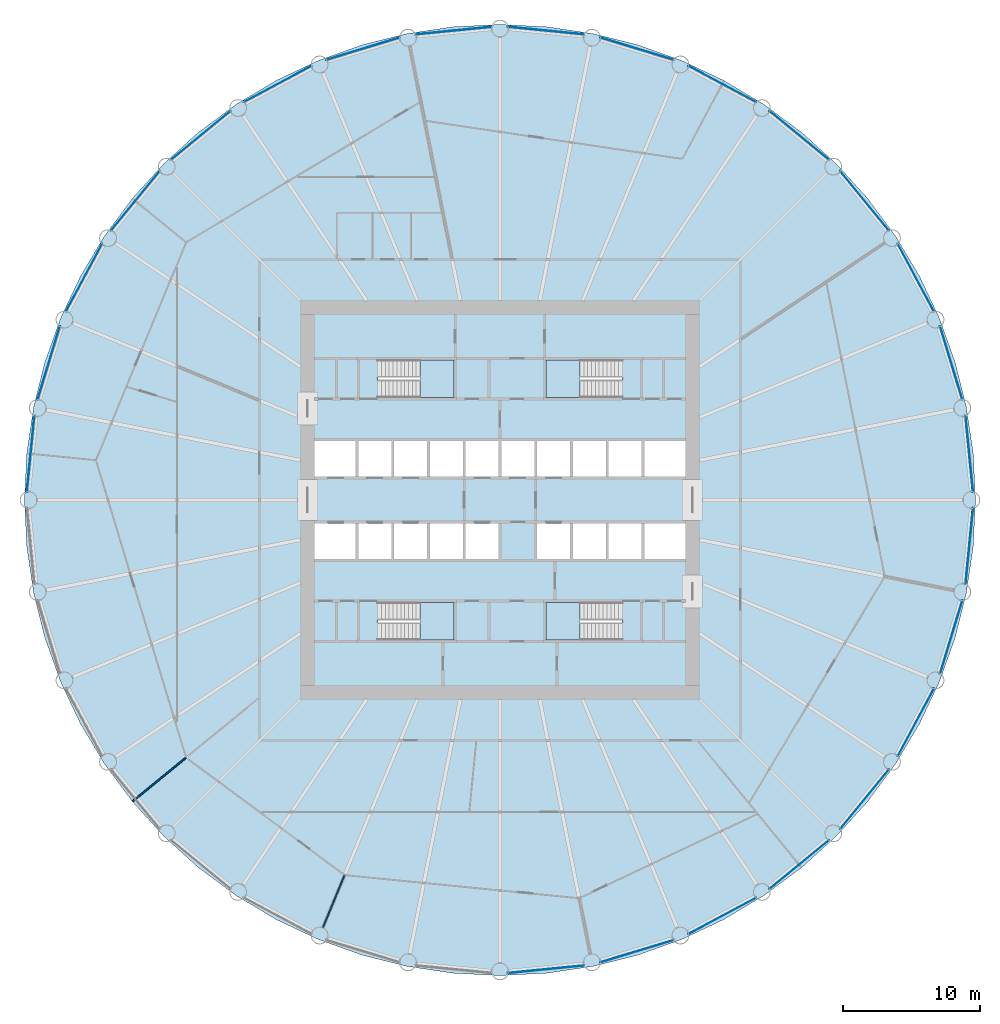
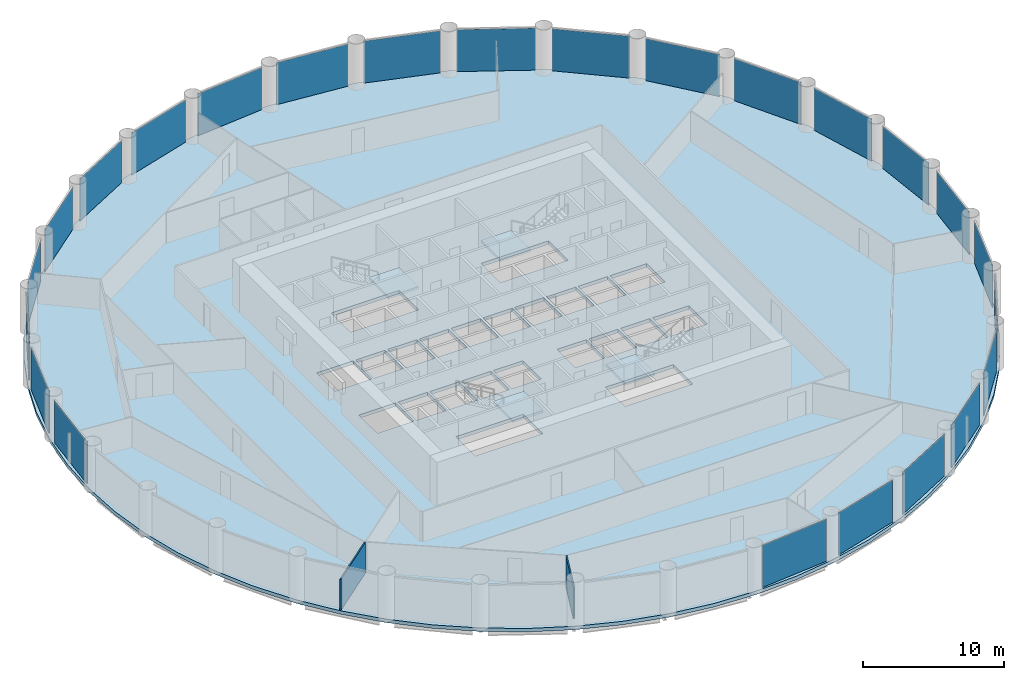
# One storey, part 3 of 8: 24 plates, 5 slabs, 2 walls, 28 elements without a shape of their own.
"""IFC4 building model written with IfcOpenShell, lengths in metres."""

from ifc_helpers import new_model, si_unit, direction, frame, frame_2d, origin, origin_2d, place, context, subcontext, project, spatial, polyline, rectangle, outline, extrude, material, layer, layer_set, type_object, element, aggregate, save


model = new_model("IFC4")

# Units and contexts
model_context = context("Model", 3, precision=1e-05, world=origin(), true_north=direction((0.0, 1.0)))
body_context = subcontext(model_context, "Body", "Model", "MODEL_VIEW")
ifc_project = project(units=[si_unit("LENGTHUNIT", "METRE"), si_unit("AREAUNIT", "SQUARE_METRE"), si_unit("VOLUMEUNIT", "CUBIC_METRE"), si_unit("PLANEANGLEUNIT", "RADIAN"), si_unit("MASSUNIT", "GRAM", prefix="KILO")], contexts=[model_context])

# Site, building, storey
site_placement = place(None, origin())
site = spatial("IfcSite", under=ifc_project, at=site_placement, CompositionType="ELEMENT")
building_placement = place(site_placement, origin())
building = spatial("IfcBuilding", under=site, at=building_placement, Name="Corvane Civic Tower", CompositionType="ELEMENT")
storey_placement = place(building_placement, frame((0.0, 0.0, 134.5)))
storey = spatial("IfcBuildingStorey", under=building, at=storey_placement, Name="L31", CompositionType="ELEMENT", Elevation=134.5)

# Slab
ifc_material_1 = material(Name="Concrete C40/50", Category="concrete")
ifc_layer_1 = layer(ifc_material_1, 0.300048828125)
ifc_layer_set_1 = layer_set([ifc_layer_1], Name="Concrete C40/50")
slab_type_1 = type_object("IfcSlabType", Name="FLOOR SLAB 300", PredefinedType="FLOOR", material=ifc_layer_set_1)
slab_1_placement = place(storey_placement, frame((0.0, 0.0, -0.300048828125)))
element("IfcSlab", 1, at=slab_1_placement, inside=storey, type_object=slab_type_1, Name="SLB-L31", PredefinedType="FLOOR", context=body_context, shape_type="SweptSolid", body=[
    extrude(outline(polyline([(0.0, 34.60009765625), (-3.391357421875, 34.433349609375), (-6.750244140625, 33.93505859375), (-10.0439453125, 33.110107421875), (-13.240966796875, 31.96630859375), (-16.310302734375, 30.514404296875), (-19.22265625, 28.768798828125), (-21.949951171875, 26.74609375), (-24.4658203125, 24.4658203125), (-26.74609375, 21.949951171875), (-28.768798828125, 19.22265625), (-30.514404296875, 16.310302734375), (-31.96630859375, 13.240966796875), (-33.110107421875, 10.0439453125), (-33.93505859375, 6.750244140625), (-34.433349609375, 3.391357421875), (-34.60009765625, 0.0), (-34.433349609375, -3.391357421875), (-33.93505859375, -6.750244140625), (-33.110107421875, -10.0439453125), (-31.96630859375, -13.240966796875), (-30.514404296875, -16.310302734375), (-28.768798828125, -19.22265625), (-26.74609375, -21.949951171875), (-24.4658203125, -24.4658203125), (-21.949951171875, -26.74609375), (-19.22265625, -28.768798828125), (-16.310302734375, -30.514404296875), (-13.240966796875, -31.96630859375), (-10.0439453125, -33.110107421875), (-6.750244140625, -33.93505859375), (-3.391357421875, -34.433349609375), (0.0, -34.60009765625), (3.391357421875, -34.433349609375), (6.750244140625, -33.93505859375), (10.0439453125, -33.110107421875), (13.240966796875, -31.96630859375), (16.310302734375, -30.514404296875), (19.22265625, -28.768798828125), (21.949951171875, -26.74609375), (24.4658203125, -24.4658203125), (26.74609375, -21.949951171875), (28.768798828125, -19.22265625), (30.514404296875, -16.310302734375), (31.96630859375, -13.240966796875), (33.110107421875, -10.0439453125), (33.93505859375, -6.750244140625), (34.433349609375, -3.391357421875), (34.60009765625, 0.0), (34.433349609375, 3.391357421875), (33.93505859375, 6.750244140625), (33.110107421875, 10.0439453125), (31.96630859375, 13.240966796875), (30.514404296875, 16.310302734375), (28.768798828125, 19.22265625), (26.74609375, 21.949951171875), (24.4658203125, 24.4658203125), (21.949951171875, 26.74609375), (19.22265625, 28.768798828125), (16.310302734375, 30.514404296875), (13.240966796875, 31.96630859375), (10.0439453125, 33.110107421875), (6.750244140625, 33.93505859375), (3.391357421875, 34.433349609375), (0.0, 34.60009765625)]), holes=[polyline([(-13.5, 4.300048828125), (-10.5, 4.300048828125), (-10.5, 1.699951171875), (-13.5, 1.699951171875), (-13.5, 4.300048828125)]), polyline([(-10.300048828125, 4.300048828125), (-7.89990234375, 4.300048828125), (-7.89990234375, 1.699951171875), (-10.300048828125, 1.699951171875), (-10.300048828125, 4.300048828125)]), polyline([(-5.300048828125, 1.699951171875), (-7.699951171875, 1.699951171875), (-7.699951171875, 4.300048828125), (-5.300048828125, 4.300048828125), (-5.300048828125, 1.699951171875)]), polyline([(-2.699951171875, 1.699951171875), (-5.10009765625, 1.699951171875), (-5.10009765625, 4.300048828125), (-2.699951171875, 4.300048828125), (-2.699951171875, 1.699951171875)]), polyline([(-2.5, 4.300048828125), (-0.10009765625, 4.300048828125), (-0.10009765625, 1.699951171875), (-2.5, 1.699951171875), (-2.5, 4.300048828125)]), polyline([(2.5, 4.300048828125), (2.5, 1.699951171875), (0.10009765625, 1.699951171875), (0.10009765625, 4.300048828125), (2.5, 4.300048828125)]), polyline([(2.699951171875, 4.300048828125), (5.10009765625, 4.300048828125), (5.10009765625, 1.699951171875), (2.699951171875, 1.699951171875), (2.699951171875, 4.300048828125)]), polyline([(5.300048828125, 4.300048828125), (7.699951171875, 4.300048828125), (7.699951171875, 1.699951171875), (5.300048828125, 1.699951171875), (5.300048828125, 4.300048828125)]), polyline([(7.89990234375, 4.300048828125), (10.300048828125, 4.300048828125), (10.300048828125, 1.699951171875), (7.89990234375, 1.699951171875), (7.89990234375, 4.300048828125)]), polyline([(13.5, 1.699951171875), (10.5, 1.699951171875), (10.5, 4.300048828125), (13.5, 4.300048828125), (13.5, 1.699951171875)]), polyline([(-13.5, -1.699951171875), (-10.5, -1.699951171875), (-10.5, -4.300048828125), (-13.5, -4.300048828125), (-13.5, -1.699951171875)]), polyline([(-7.89990234375, -1.699951171875), (-7.89990234375, -4.300048828125), (-10.300048828125, -4.300048828125), (-10.300048828125, -1.699951171875), (-7.89990234375, -1.699951171875)]), polyline([(-7.699951171875, -4.300048828125), (-7.699951171875, -1.699951171875), (-5.300048828125, -1.699951171875), (-5.300048828125, -4.300048828125), (-7.699951171875, -4.300048828125)]), polyline([(-5.10009765625, -4.300048828125), (-5.10009765625, -1.699951171875), (-2.699951171875, -1.699951171875), (-2.699951171875, -4.300048828125), (-5.10009765625, -4.300048828125)]), polyline([(-0.10009765625, -1.699951171875), (-0.10009765625, -4.300048828125), (-2.5, -4.300048828125), (-2.5, -1.699951171875), (-0.10009765625, -1.699951171875)]), polyline([(5.10009765625, -1.699951171875), (5.10009765625, -4.300048828125), (2.699951171875, -4.300048828125), (2.699951171875, -1.699951171875), (5.10009765625, -1.699951171875)]), polyline([(7.699951171875, -1.699951171875), (7.699951171875, -4.300048828125), (5.300048828125, -4.300048828125), (5.300048828125, -1.699951171875), (7.699951171875, -1.699951171875)]), polyline([(10.300048828125, -1.699951171875), (10.300048828125, -4.300048828125), (7.89990234375, -4.300048828125), (7.89990234375, -1.699951171875), (10.300048828125, -1.699951171875)]), polyline([(13.5, -4.300048828125), (10.5, -4.300048828125), (10.5, -1.699951171875), (13.5, -1.699951171875), (13.5, -4.300048828125)]), polyline([(8.889892578125, 10.199951171875), (8.889892578125, 7.449951171875), (3.35009765625, 7.449951171875), (3.35009765625, 10.199951171875), (8.889892578125, 10.199951171875)]), polyline([(-8.889892578125, 7.449951171875), (-8.889892578125, 10.199951171875), (-3.35009765625, 10.199951171875), (-3.35009765625, 7.449951171875), (-8.889892578125, 7.449951171875)]), polyline([(8.889892578125, -7.449951171875), (8.889892578125, -10.199951171875), (3.35009765625, -10.199951171875), (3.35009765625, -7.449951171875), (8.889892578125, -7.449951171875)]), polyline([(-8.889892578125, -10.199951171875), (-8.889892578125, -7.449951171875), (-3.35009765625, -7.449951171875), (-3.35009765625, -10.199951171875), (-8.889892578125, -10.199951171875)])]), origin(), (0.0, 0.0, 1.0), 0.300048828125),
])

# Stair, slab
ifc_material_2 = material(Name="Concrete C40/50", Category="concrete")
stair_type = type_object("IfcStairType", Name="ST-STAIR-HALFTURN", PredefinedType="HALF_TURN_STAIR", material=ifc_material_2)
stair_1_placement = place(storey_placement, origin())
stair_1 = element("IfcStair", 2, at=stair_1_placement, inside=storey, type_object=stair_type, Name="L31 Exit stair ST1", PredefinedType="HALF_TURN_STAIR")
ifc_material_3 = material(Name="Concrete C40/50", Category="concrete")
ifc_layer_2 = layer(ifc_material_3, 0.199951171875)
ifc_layer_set_2 = layer_set([ifc_layer_2], Name="Concrete C40/50")
slab_type_2 = type_object("IfcSlabType", Name="ST-LANDING-RC", PredefinedType="LANDING", material=ifc_layer_set_2)
slab_2_placement = place(storey_placement, frame((0.0, 0.0, 1.800048828125)))
slab_2 = element("IfcSlab", 3, at=slab_2_placement, type_object=slab_type_2, Name="ST1 landing 1", PredefinedType="LANDING", context=body_context, shape_type="SweptSolid", body=[
    extrude(outline(polyline([(5.820068359375, 10.199951171875), (3.35009765625, 10.199951171875), (3.35009765625, 7.449951171875), (5.820068359375, 7.449951171875), (5.820068359375, 10.199951171875)])), origin(), (0.0, 0.0, 1.0), 0.199951171875),
])
aggregate(stair_1, [slab_2])

stair_2_placement = place(storey_placement, origin())
stair_2 = element("IfcStair", 4, at=stair_2_placement, inside=storey, type_object=stair_type, Name="L31 Exit stair ST2", PredefinedType="HALF_TURN_STAIR")
slab_3_placement = place(storey_placement, frame((0.0, 0.0, 1.800048828125)))
slab_3 = element("IfcSlab", 5, at=slab_3_placement, type_object=slab_type_2, Name="ST2 landing 1", PredefinedType="LANDING", context=body_context, shape_type="SweptSolid", body=[
    extrude(outline(polyline([(5.820068359375, -7.449951171875), (3.35009765625, -7.449951171875), (3.35009765625, -10.199951171875), (5.820068359375, -10.199951171875), (5.820068359375, -7.449951171875)])), origin(), (0.0, 0.0, 1.0), 0.199951171875),
])
aggregate(stair_2, [slab_3])

stair_3_placement = place(storey_placement, origin())
stair_3 = element("IfcStair", 6, at=stair_3_placement, inside=storey, type_object=stair_type, Name="L31 Exit stair ST3", PredefinedType="HALF_TURN_STAIR")
slab_4_placement = place(storey_placement, frame((0.0, 0.0, 1.800048828125)))
slab_4 = element("IfcSlab", 7, at=slab_4_placement, type_object=slab_type_2, Name="ST3 landing 1", PredefinedType="LANDING", context=body_context, shape_type="SweptSolid", body=[
    extrude(outline(polyline([(-5.820068359375, -10.199951171875), (-3.35009765625, -10.199951171875), (-3.35009765625, -7.449951171875), (-5.820068359375, -7.449951171875), (-5.820068359375, -10.199951171875)])), origin(), (0.0, 0.0, 1.0), 0.199951171875),
])
aggregate(stair_3, [slab_4])

stair_4_placement = place(storey_placement, origin())
stair_4 = element("IfcStair", 8, at=stair_4_placement, inside=storey, type_object=stair_type, Name="L31 Exit stair ST4", PredefinedType="HALF_TURN_STAIR")
slab_5_placement = place(storey_placement, frame((0.0, 0.0, 1.800048828125)))
slab_5 = element("IfcSlab", 9, at=slab_5_placement, type_object=slab_type_2, Name="ST4 landing 1", PredefinedType="LANDING", context=body_context, shape_type="SweptSolid", body=[
    extrude(outline(polyline([(-5.820068359375, 7.449951171875), (-3.35009765625, 7.449951171875), (-3.35009765625, 10.199951171875), (-5.820068359375, 10.199951171875), (-5.820068359375, 7.449951171875)])), origin(), (0.0, 0.0, 1.0), 0.199951171875),
])
aggregate(stair_4, [slab_5])

# Curtain wall, plate
ifc_material_4 = material(Name="Anodised aluminium bronze", Category="aluminium")
curtain_wall_type = type_object("IfcCurtainWallType", Name="TOWER CW-T1 STICK CURTAIN WALL", PredefinedType="NOTDEFINED", material=ifc_material_4)
curtain_wall_1_placement = place(storey_placement, origin())
curtain_wall_1 = element("IfcCurtainWall", 10, at=curtain_wall_1_placement, inside=storey, type_object=curtain_wall_type, Name="Curtain wall CW-T1 L31 bay 01", PredefinedType="NOTDEFINED")
ifc_material_5 = material(Name="Tinted glass", Category="glass")
ifc_layer_3 = layer(ifc_material_5, 0.035888671875)
ifc_layer_set_3 = layer_set([ifc_layer_3], Name="Tinted glass")
plate_type = type_object("IfcPlateType", Name="TOWER CW-T1 PANEL IGU36", PredefinedType="CURTAIN_PANEL", material=ifc_layer_set_3)
plate_1_placement = place(storey_placement, frame((3.36328125, 34.148681640625, 0.0), z_axis=(0.0, 0.0, 1.0), x_axis=(0.995183788169, -0.098026668644, 0.0)))
plate_1 = element("IfcPlate", 11, at=plate_1_placement, type_object=plate_type, Name="Glass panel CW-T1 L31 01.1", PredefinedType="CURTAIN_PANEL", context=body_context, shape_type="SweptSolid", body=[
    extrude(rectangle(XDim=5.58642578125, YDim=0.035888671875, at=origin_2d()), origin(), (0.0, 0.0, 1.0), 3.6298828125),
])
aggregate(curtain_wall_1, [plate_1])

curtain_wall_2_placement = place(storey_placement, origin())
curtain_wall_2 = element("IfcCurtainWall", 12, at=curtain_wall_2_placement, inside=storey, type_object=curtain_wall_type, Name="Curtain wall CW-T1 L31 bay 02", PredefinedType="NOTDEFINED")
plate_2_placement = place(storey_placement, frame((9.9609375, 32.83642578125, 0.0), z_axis=(0.0, 0.0, 1.0), x_axis=(0.956945991488, -0.290266032073, 0.0)))
plate_2 = element("IfcPlate", 13, at=plate_2_placement, type_object=plate_type, Name="Glass panel CW-T1 L31 02.1", PredefinedType="CURTAIN_PANEL", context=body_context, shape_type="SweptSolid", body=[
    extrude(rectangle(XDim=5.58642578125, YDim=0.035888671875, at=origin_2d()), origin(), (0.0, 0.0, 1.0), 3.6298828125),
])
aggregate(curtain_wall_2, [plate_2])

curtain_wall_3_placement = place(storey_placement, origin())
curtain_wall_3 = element("IfcCurtainWall", 14, at=curtain_wall_3_placement, inside=storey, type_object=curtain_wall_type, Name="Curtain wall CW-T1 L31 bay 03", PredefinedType="NOTDEFINED")
plate_3_placement = place(storey_placement, frame((16.175537109375, 30.26220703125, 0.0), z_axis=(0.0, 0.0, 1.0), x_axis=(0.881923642976, -0.471392286699, 0.0)))
plate_3 = element("IfcPlate", 15, at=plate_3_placement, type_object=plate_type, Name="Glass panel CW-T1 L31 03.1", PredefinedType="CURTAIN_PANEL", context=body_context, shape_type="SweptSolid", body=[
    extrude(rectangle(XDim=5.586669921875, YDim=0.035888671875, at=origin_2d()), origin(), (0.0, 0.0, 1.0), 3.6298828125),
])
aggregate(curtain_wall_3, [plate_3])

curtain_wall_4_placement = place(storey_placement, origin())
curtain_wall_4 = element("IfcCurtainWall", 16, at=curtain_wall_4_placement, inside=storey, type_object=curtain_wall_type, Name="Curtain wall CW-T1 L31 bay 04", PredefinedType="NOTDEFINED")
plate_4_placement = place(storey_placement, frame((21.7685546875, 26.525146484375, 0.0), z_axis=(0.0, 0.0, 1.0), x_axis=(0.773013419843, -0.63438966948, 0.0)))
plate_4 = element("IfcPlate", 17, at=plate_4_placement, type_object=plate_type, Name="Glass panel CW-T1 L31 04.1", PredefinedType="CURTAIN_PANEL", context=body_context, shape_type="SweptSolid", body=[
    extrude(rectangle(XDim=5.58642578125, YDim=0.035888671875, at=origin_2d()), origin(), (0.0, 0.0, 1.0), 3.6298828125),
])
aggregate(curtain_wall_4, [plate_4])

curtain_wall_5_placement = place(storey_placement, origin())
curtain_wall_5 = element("IfcCurtainWall", 18, at=curtain_wall_5_placement, inside=storey, type_object=curtain_wall_type, Name="Curtain wall CW-T1 L31 bay 05", PredefinedType="NOTDEFINED")
plate_5_placement = place(storey_placement, frame((26.525146484375, 21.7685546875, 0.0), z_axis=(0.0, 0.0, 1.0), x_axis=(0.63438966948, -0.773013419843, 0.0)))
plate_5 = element("IfcPlate", 19, at=plate_5_placement, type_object=plate_type, Name="Glass panel CW-T1 L31 05.1", PredefinedType="CURTAIN_PANEL", context=body_context, shape_type="SweptSolid", body=[
    extrude(rectangle(XDim=5.58642578125, YDim=0.035888671875, at=origin_2d()), origin(), (0.0, 0.0, 1.0), 3.6298828125),
])
aggregate(curtain_wall_5, [plate_5])

curtain_wall_6_placement = place(storey_placement, origin())
curtain_wall_6 = element("IfcCurtainWall", 20, at=curtain_wall_6_placement, inside=storey, type_object=curtain_wall_type, Name="Curtain wall CW-T1 L31 bay 06", PredefinedType="NOTDEFINED")
plate_6_placement = place(storey_placement, frame((30.26220703125, 16.175537109375, 0.0), z_axis=(0.0, 0.0, 1.0), x_axis=(0.471392286699, -0.881923642976, 0.0)))
plate_6 = element("IfcPlate", 21, at=plate_6_placement, type_object=plate_type, Name="Glass panel CW-T1 L31 06.1", PredefinedType="CURTAIN_PANEL", context=body_context, shape_type="SweptSolid", body=[
    extrude(rectangle(XDim=5.586669921875, YDim=0.035888671875, at=origin_2d()), origin(), (0.0, 0.0, 1.0), 3.6298828125),
])
aggregate(curtain_wall_6, [plate_6])

curtain_wall_7_placement = place(storey_placement, origin())
curtain_wall_7 = element("IfcCurtainWall", 22, at=curtain_wall_7_placement, inside=storey, type_object=curtain_wall_type, Name="Curtain wall CW-T1 L31 bay 07", PredefinedType="NOTDEFINED")
plate_7_placement = place(storey_placement, frame((32.83642578125, 9.9609375, 0.0), z_axis=(0.0, 0.0, 1.0), x_axis=(0.290266032073, -0.956945991488, 0.0)))
plate_7 = element("IfcPlate", 23, at=plate_7_placement, type_object=plate_type, Name="Glass panel CW-T1 L31 07.1", PredefinedType="CURTAIN_PANEL", context=body_context, shape_type="SweptSolid", body=[
    extrude(rectangle(XDim=5.58642578125, YDim=0.035888671875, at=origin_2d()), origin(), (0.0, 0.0, 1.0), 3.6298828125),
])
aggregate(curtain_wall_7, [plate_7])

curtain_wall_8_placement = place(storey_placement, origin())
curtain_wall_8 = element("IfcCurtainWall", 24, at=curtain_wall_8_placement, inside=storey, type_object=curtain_wall_type, Name="Curtain wall CW-T1 L31 bay 08", PredefinedType="NOTDEFINED")
plate_8_placement = place(storey_placement, frame((34.148681640625, 3.36328125, 0.0), z_axis=(0.0, 0.0, 1.0), x_axis=(0.098026668644, -0.995183788169, 0.0)))
plate_8 = element("IfcPlate", 25, at=plate_8_placement, type_object=plate_type, Name="Glass panel CW-T1 L31 08.1", PredefinedType="CURTAIN_PANEL", context=body_context, shape_type="SweptSolid", body=[
    extrude(rectangle(XDim=5.58642578125, YDim=0.035888671875, at=origin_2d()), origin(), (0.0, 0.0, 1.0), 3.6298828125),
])
aggregate(curtain_wall_8, [plate_8])

curtain_wall_9_placement = place(storey_placement, origin())
curtain_wall_9 = element("IfcCurtainWall", 26, at=curtain_wall_9_placement, inside=storey, type_object=curtain_wall_type, Name="Curtain wall CW-T1 L31 bay 09", PredefinedType="NOTDEFINED")
plate_9_placement = place(storey_placement, frame((34.148681640625, -3.36328125, 0.0), z_axis=(0.0, 0.0, 1.0), x_axis=(-0.098026668644, -0.995183788169, 0.0)))
plate_9 = element("IfcPlate", 27, at=plate_9_placement, type_object=plate_type, Name="Glass panel CW-T1 L31 09.1", PredefinedType="CURTAIN_PANEL", context=body_context, shape_type="SweptSolid", body=[
    extrude(rectangle(XDim=5.58642578125, YDim=0.035888671875, at=origin_2d()), origin(), (0.0, 0.0, 1.0), 3.6298828125),
])
aggregate(curtain_wall_9, [plate_9])

curtain_wall_10_placement = place(storey_placement, origin())
curtain_wall_10 = element("IfcCurtainWall", 28, at=curtain_wall_10_placement, inside=storey, type_object=curtain_wall_type, Name="Curtain wall CW-T1 L31 bay 10", PredefinedType="NOTDEFINED")
plate_10_placement = place(storey_placement, frame((32.83642578125, -9.9609375, 0.0), z_axis=(0.0, 0.0, 1.0), x_axis=(-0.290266032073, -0.956945991488, 0.0)))
plate_10 = element("IfcPlate", 29, at=plate_10_placement, type_object=plate_type, Name="Glass panel CW-T1 L31 10.1", PredefinedType="CURTAIN_PANEL", context=body_context, shape_type="SweptSolid", body=[
    extrude(rectangle(XDim=5.58642578125, YDim=0.035888671875, at=origin_2d()), origin(), (0.0, 0.0, 1.0), 3.6298828125),
])
aggregate(curtain_wall_10, [plate_10])

curtain_wall_11_placement = place(storey_placement, origin())
curtain_wall_11 = element("IfcCurtainWall", 30, at=curtain_wall_11_placement, inside=storey, type_object=curtain_wall_type, Name="Curtain wall CW-T1 L31 bay 11", PredefinedType="NOTDEFINED")
plate_11_placement = place(storey_placement, frame((30.26220703125, -16.175537109375, 0.0), z_axis=(0.0, 0.0, 1.0), x_axis=(-0.471392286699, -0.881923642976, 0.0)))
plate_11 = element("IfcPlate", 31, at=plate_11_placement, type_object=plate_type, Name="Glass panel CW-T1 L31 11.1", PredefinedType="CURTAIN_PANEL", context=body_context, shape_type="SweptSolid", body=[
    extrude(rectangle(XDim=5.586669921875, YDim=0.035888671875, at=origin_2d()), origin(), (0.0, 0.0, 1.0), 3.6298828125),
])
aggregate(curtain_wall_11, [plate_11])

curtain_wall_12_placement = place(storey_placement, origin())
curtain_wall_12 = element("IfcCurtainWall", 32, at=curtain_wall_12_placement, inside=storey, type_object=curtain_wall_type, Name="Curtain wall CW-T1 L31 bay 12", PredefinedType="NOTDEFINED")
plate_12_placement = place(storey_placement, frame((26.525146484375, -21.7685546875, 0.0), z_axis=(0.0, 0.0, 1.0), x_axis=(-0.63438966948, -0.773013419843, 0.0)))
plate_12 = element("IfcPlate", 33, at=plate_12_placement, type_object=plate_type, Name="Glass panel CW-T1 L31 12.1", PredefinedType="CURTAIN_PANEL", context=body_context, shape_type="SweptSolid", body=[
    extrude(rectangle(XDim=5.58642578125, YDim=0.035888671875, at=origin_2d()), origin(), (0.0, 0.0, 1.0), 3.6298828125),
])
aggregate(curtain_wall_12, [plate_12])

curtain_wall_13_placement = place(storey_placement, origin())
curtain_wall_13 = element("IfcCurtainWall", 34, at=curtain_wall_13_placement, inside=storey, type_object=curtain_wall_type, Name="Curtain wall CW-T1 L31 bay 13", PredefinedType="NOTDEFINED")
plate_13_placement = place(storey_placement, frame((21.7685546875, -26.525146484375, 0.0), z_axis=(0.0, 0.0, 1.0), x_axis=(-0.773013419843, -0.63438966948, 0.0)))
plate_13 = element("IfcPlate", 35, at=plate_13_placement, type_object=plate_type, Name="Glass panel CW-T1 L31 13.1", PredefinedType="CURTAIN_PANEL", context=body_context, shape_type="SweptSolid", body=[
    extrude(rectangle(XDim=5.58642578125, YDim=0.035888671875, at=origin_2d()), origin(), (0.0, 0.0, 1.0), 3.6298828125),
])
aggregate(curtain_wall_13, [plate_13])

curtain_wall_14_placement = place(storey_placement, origin())
curtain_wall_14 = element("IfcCurtainWall", 36, at=curtain_wall_14_placement, inside=storey, type_object=curtain_wall_type, Name="Curtain wall CW-T1 L31 bay 14", PredefinedType="NOTDEFINED")
plate_14_placement = place(storey_placement, frame((16.175537109375, -30.26220703125, 0.0), z_axis=(0.0, 0.0, 1.0), x_axis=(-0.881923642976, -0.471392286699, 0.0)))
plate_14 = element("IfcPlate", 37, at=plate_14_placement, type_object=plate_type, Name="Glass panel CW-T1 L31 14.1", PredefinedType="CURTAIN_PANEL", context=body_context, shape_type="SweptSolid", body=[
    extrude(rectangle(XDim=5.586669921875, YDim=0.035888671875, at=origin_2d()), origin(), (0.0, 0.0, 1.0), 3.6298828125),
])
aggregate(curtain_wall_14, [plate_14])

curtain_wall_15_placement = place(storey_placement, origin())
curtain_wall_15 = element("IfcCurtainWall", 38, at=curtain_wall_15_placement, inside=storey, type_object=curtain_wall_type, Name="Curtain wall CW-T1 L31 bay 15", PredefinedType="NOTDEFINED")
plate_15_placement = place(storey_placement, frame((9.9609375, -32.83642578125, 0.0), z_axis=(0.0, 0.0, 1.0), x_axis=(-0.956945991488, -0.290266032073, 0.0)))
plate_15 = element("IfcPlate", 39, at=plate_15_placement, type_object=plate_type, Name="Glass panel CW-T1 L31 15.1", PredefinedType="CURTAIN_PANEL", context=body_context, shape_type="SweptSolid", body=[
    extrude(rectangle(XDim=5.58642578125, YDim=0.035888671875, at=origin_2d()), origin(), (0.0, 0.0, 1.0), 3.6298828125),
])
aggregate(curtain_wall_15, [plate_15])

curtain_wall_16_placement = place(storey_placement, origin())
curtain_wall_16 = element("IfcCurtainWall", 40, at=curtain_wall_16_placement, inside=storey, type_object=curtain_wall_type, Name="Curtain wall CW-T1 L31 bay 16", PredefinedType="NOTDEFINED")
plate_16_placement = place(storey_placement, frame((3.36328125, -34.148681640625, 0.0), z_axis=(0.0, 0.0, 1.0), x_axis=(-0.995183788169, -0.098026668644, 0.0)))
plate_16 = element("IfcPlate", 41, at=plate_16_placement, type_object=plate_type, Name="Glass panel CW-T1 L31 16.1", PredefinedType="CURTAIN_PANEL", context=body_context, shape_type="SweptSolid", body=[
    extrude(rectangle(XDim=5.58642578125, YDim=0.035888671875, at=origin_2d()), origin(), (0.0, 0.0, 1.0), 3.6298828125),
])
aggregate(curtain_wall_16, [plate_16])

curtain_wall_17_placement = place(storey_placement, origin())
curtain_wall_17 = element("IfcCurtainWall", 42, at=curtain_wall_17_placement, inside=storey, type_object=curtain_wall_type, Name="Curtain wall CW-T1 L31 bay 25", PredefinedType="NOTDEFINED")
plate_17_placement = place(storey_placement, frame((-34.148681640625, 3.36328125, 0.0), z_axis=(0.0, 0.0, 1.0), x_axis=(0.098026668644, 0.995183788169, 0.0)))
plate_17 = element("IfcPlate", 43, at=plate_17_placement, type_object=plate_type, Name="Glass panel CW-T1 L31 25.1", PredefinedType="CURTAIN_PANEL", context=body_context, shape_type="SweptSolid", body=[
    extrude(rectangle(XDim=5.58642578125, YDim=0.035888671875, at=origin_2d()), origin(), (0.0, 0.0, 1.0), 3.6298828125),
])
aggregate(curtain_wall_17, [plate_17])

curtain_wall_18_placement = place(storey_placement, origin())
curtain_wall_18 = element("IfcCurtainWall", 44, at=curtain_wall_18_placement, inside=storey, type_object=curtain_wall_type, Name="Curtain wall CW-T1 L31 bay 26", PredefinedType="NOTDEFINED")
plate_18_placement = place(storey_placement, frame((-32.83642578125, 9.9609375, 0.0), z_axis=(0.0, 0.0, 1.0), x_axis=(0.290266032073, 0.956945991488, 0.0)))
plate_18 = element("IfcPlate", 45, at=plate_18_placement, type_object=plate_type, Name="Glass panel CW-T1 L31 26.1", PredefinedType="CURTAIN_PANEL", context=body_context, shape_type="SweptSolid", body=[
    extrude(rectangle(XDim=5.58642578125, YDim=0.035888671875, at=origin_2d()), origin(), (0.0, 0.0, 1.0), 3.6298828125),
])
aggregate(curtain_wall_18, [plate_18])

curtain_wall_19_placement = place(storey_placement, origin())
curtain_wall_19 = element("IfcCurtainWall", 46, at=curtain_wall_19_placement, inside=storey, type_object=curtain_wall_type, Name="Curtain wall CW-T1 L31 bay 27", PredefinedType="NOTDEFINED")
plate_19_placement = place(storey_placement, frame((-30.26220703125, 16.175537109375, 0.0), z_axis=(0.0, 0.0, 1.0), x_axis=(0.471392286699, 0.881923642976, 0.0)))
plate_19 = element("IfcPlate", 47, at=plate_19_placement, type_object=plate_type, Name="Glass panel CW-T1 L31 27.1", PredefinedType="CURTAIN_PANEL", context=body_context, shape_type="SweptSolid", body=[
    extrude(rectangle(XDim=5.586669921875, YDim=0.035888671875, at=origin_2d()), origin(), (0.0, 0.0, 1.0), 3.6298828125),
])
aggregate(curtain_wall_19, [plate_19])

curtain_wall_20_placement = place(storey_placement, origin())
curtain_wall_20 = element("IfcCurtainWall", 48, at=curtain_wall_20_placement, inside=storey, type_object=curtain_wall_type, Name="Curtain wall CW-T1 L31 bay 28", PredefinedType="NOTDEFINED")
plate_20_placement = place(storey_placement, frame((-26.525146484375, 21.7685546875, 0.0), z_axis=(0.0, 0.0, 1.0), x_axis=(0.63438966948, 0.773013419843, 0.0)))
plate_20 = element("IfcPlate", 49, at=plate_20_placement, type_object=plate_type, Name="Glass panel CW-T1 L31 28.1", PredefinedType="CURTAIN_PANEL", context=body_context, shape_type="SweptSolid", body=[
    extrude(rectangle(XDim=5.58642578125, YDim=0.035888671875, at=origin_2d()), origin(), (0.0, 0.0, 1.0), 3.6298828125),
])
aggregate(curtain_wall_20, [plate_20])

curtain_wall_21_placement = place(storey_placement, origin())
curtain_wall_21 = element("IfcCurtainWall", 50, at=curtain_wall_21_placement, inside=storey, type_object=curtain_wall_type, Name="Curtain wall CW-T1 L31 bay 29", PredefinedType="NOTDEFINED")
plate_21_placement = place(storey_placement, frame((-21.7685546875, 26.525146484375, 0.0), z_axis=(0.0, 0.0, 1.0), x_axis=(0.773013419843, 0.63438966948, 0.0)))
plate_21 = element("IfcPlate", 51, at=plate_21_placement, type_object=plate_type, Name="Glass panel CW-T1 L31 29.1", PredefinedType="CURTAIN_PANEL", context=body_context, shape_type="SweptSolid", body=[
    extrude(rectangle(XDim=5.58642578125, YDim=0.035888671875, at=origin_2d()), origin(), (0.0, 0.0, 1.0), 3.6298828125),
])
aggregate(curtain_wall_21, [plate_21])

curtain_wall_22_placement = place(storey_placement, origin())
curtain_wall_22 = element("IfcCurtainWall", 52, at=curtain_wall_22_placement, inside=storey, type_object=curtain_wall_type, Name="Curtain wall CW-T1 L31 bay 30", PredefinedType="NOTDEFINED")
plate_22_placement = place(storey_placement, frame((-16.175537109375, 30.26220703125, 0.0), z_axis=(0.0, 0.0, 1.0), x_axis=(0.881923642976, 0.471392286699, 0.0)))
plate_22 = element("IfcPlate", 53, at=plate_22_placement, type_object=plate_type, Name="Glass panel CW-T1 L31 30.1", PredefinedType="CURTAIN_PANEL", context=body_context, shape_type="SweptSolid", body=[
    extrude(rectangle(XDim=5.586669921875, YDim=0.035888671875, at=origin_2d()), origin(), (0.0, 0.0, 1.0), 3.6298828125),
])
aggregate(curtain_wall_22, [plate_22])

curtain_wall_23_placement = place(storey_placement, origin())
curtain_wall_23 = element("IfcCurtainWall", 54, at=curtain_wall_23_placement, inside=storey, type_object=curtain_wall_type, Name="Curtain wall CW-T1 L31 bay 31", PredefinedType="NOTDEFINED")
plate_23_placement = place(storey_placement, frame((-9.9609375, 32.83642578125, 0.0), z_axis=(0.0, 0.0, 1.0), x_axis=(0.956945991488, 0.290266032073, 0.0)))
plate_23 = element("IfcPlate", 55, at=plate_23_placement, type_object=plate_type, Name="Glass panel CW-T1 L31 31.1", PredefinedType="CURTAIN_PANEL", context=body_context, shape_type="SweptSolid", body=[
    extrude(rectangle(XDim=5.58642578125, YDim=0.035888671875, at=origin_2d()), origin(), (0.0, 0.0, 1.0), 3.6298828125),
])
aggregate(curtain_wall_23, [plate_23])

curtain_wall_24_placement = place(storey_placement, origin())
curtain_wall_24 = element("IfcCurtainWall", 56, at=curtain_wall_24_placement, inside=storey, type_object=curtain_wall_type, Name="Curtain wall CW-T1 L31 bay 32", PredefinedType="NOTDEFINED")
plate_24_placement = place(storey_placement, frame((-3.36328125, 34.148681640625, 0.0), z_axis=(0.0, 0.0, 1.0), x_axis=(0.995183788169, 0.098026668644, 0.0)))
plate_24 = element("IfcPlate", 57, at=plate_24_placement, type_object=plate_type, Name="Glass panel CW-T1 L31 32.1", PredefinedType="CURTAIN_PANEL", context=body_context, shape_type="SweptSolid", body=[
    extrude(rectangle(XDim=5.58642578125, YDim=0.035888671875, at=origin_2d()), origin(), (0.0, 0.0, 1.0), 3.6298828125),
])
aggregate(curtain_wall_24, [plate_24])

# Walls
ifc_material_6 = material(Name="Plasterboard")
ifc_layer_4 = layer(ifc_material_6, 0.10009765625)
ifc_layer_set_4 = layer_set([ifc_layer_4], Name="Plasterboard")
wall_type = type_object("IfcWallType", Name="Partition 100 plasterboard on studs", PredefinedType="PARTITIONING", material=ifc_layer_set_4)
wall_1_placement = place(storey_placement, frame((-12.883056640625, -31.102294921875, 0.0), z_axis=(0.0, 0.0, 1.0), x_axis=(0.382686358551, 0.92387832044, 0.0)))
element("IfcWall", 58, at=wall_1_placement, inside=storey, type_object=wall_type, Name="Partition L31.002", PredefinedType="PARTITIONING", context=body_context, shape_type="SweptSolid", body=[
    extrude(rectangle(XDim=4.081787109375, YDim=0.10009765625, at=frame_2d((2.041015625, 0.0))), origin(), (0.0, 0.0, 1.0), 2.64990234375),
])
wall_2_placement = place(storey_placement, frame((-26.707763671875, -21.91845703125, 0.0), z_axis=(0.0, 0.0, 1.0), x_axis=(0.773004840457, 0.634400123447, 0.0)))
element("IfcWall", 59, at=wall_2_placement, inside=storey, type_object=wall_type, Name="Partition L31.011", PredefinedType="PARTITIONING", context=body_context, shape_type="SweptSolid", body=[
    extrude(rectangle(XDim=4.972412109375, YDim=0.10009765625, at=frame_2d((2.486328125, 0.0))), origin(), (0.0, 0.0, 1.0), 2.64990234375),
])

save(model, "model.ifc")
